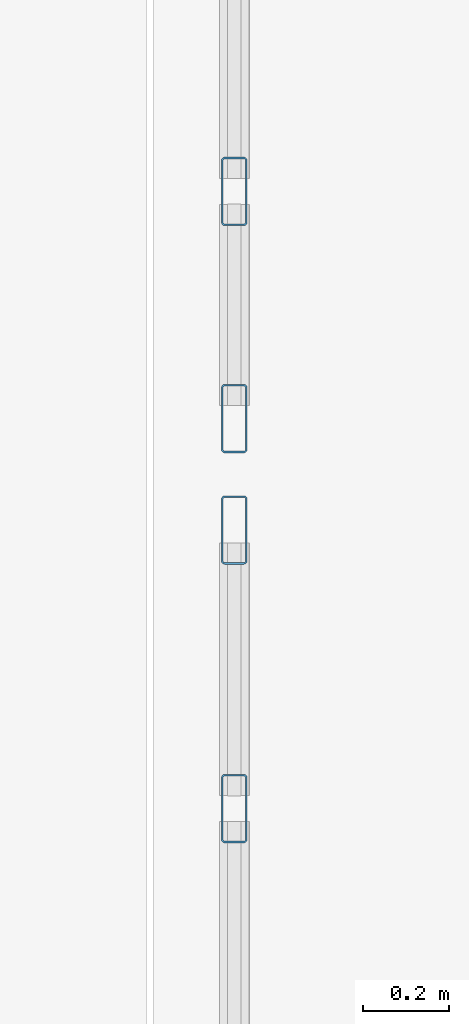
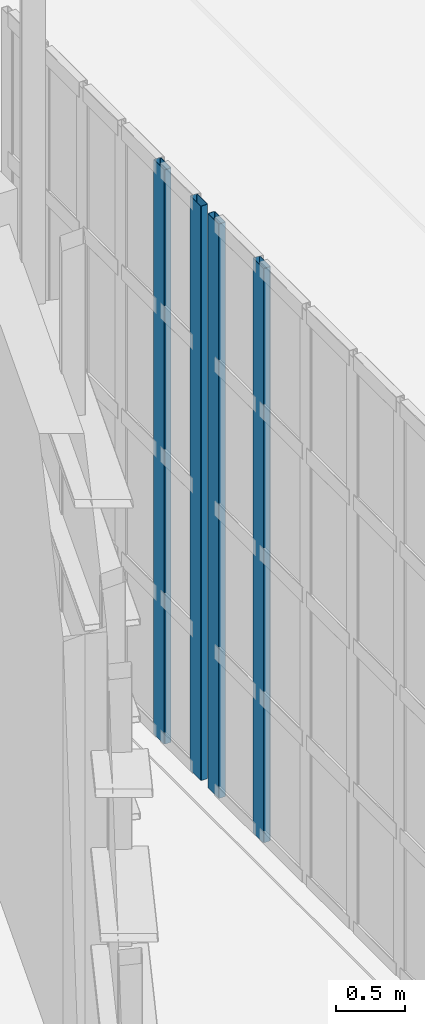
# One storey, part 274 of 372: 4 members, 2 elements without a shape of their own.
"""IFC4 building model written with IfcOpenShell, lengths in metres."""

from ifc_helpers import new_model, si_unit, direction, frame, origin, origin_2d, place, context, subcontext, project, spatial, hollow_rectangle, extrude, material, material_profile, profile_set, type_object, element, aggregate, save


model = new_model("IFC4")

# Units and contexts
model_context = context("Model", 3, precision=1e-05, world=origin(), true_north=direction((0.0, 1.0)))
body_context = subcontext(model_context, "Body", "Model", "MODEL_VIEW")
ifc_project = project(units=[si_unit("LENGTHUNIT", "METRE"), si_unit("AREAUNIT", "SQUARE_METRE"), si_unit("VOLUMEUNIT", "CUBIC_METRE"), si_unit("PLANEANGLEUNIT", "RADIAN"), si_unit("MASSUNIT", "GRAM", prefix="KILO")], contexts=[model_context])

# Site, building, storey
site_placement = place(None, origin())
site = spatial("IfcSite", under=ifc_project, at=site_placement, CompositionType="ELEMENT")
building_placement = place(site_placement, origin())
building = spatial("IfcBuilding", under=site, at=building_placement, Name="Kaelora Sail Theatre", CompositionType="ELEMENT")
storey_placement = place(building_placement, origin())
storey = spatial("IfcBuildingStorey", under=building, at=storey_placement, Name="L00", CompositionType="ELEMENT", Elevation=0.0)

# Curtain wall, members
ifc_material_1 = material(Name="Anodised aluminium and solar-control low-E IGU", Category="aluminium")
curtain_wall_type = type_object("IfcCurtainWallType", Name="ARC-CW-CW-FOY2", PredefinedType="NOTDEFINED", material=ifc_material_1)
curtain_wall_1_placement = place(storey_placement, origin())
curtain_wall_1 = element("IfcCurtainWall", 1, at=curtain_wall_1_placement, inside=storey, type_object=curtain_wall_type, Name="Glazed Colonnade/Courtyard Curtain Wall COLE-W-L00-01", PredefinedType="NOTDEFINED")
ifc_material_2 = material(Name="Anodised aluminium 6063-T6", Category="aluminium")
ifc_material_profile = material_profile(ifc_material_2, hollow_rectangle(XDim=0.06005859375, YDim=0.159912109375, WallThickness=0.00390625, InnerFilletRadius=0.00390625, OuterFilletRadius=0.008056640625, at=origin_2d()), Name="ALU-MULL 60x160x4")
ifc_profile_set = profile_set([ifc_material_profile], Name="Anodised aluminium 6063-T6")
member_type = type_object("IfcMemberType", Name="ARC-MEM-ML-160", PredefinedType="MULLION", material=ifc_profile_set)
member_1_placement = place(storey_placement, frame((147.489990234375, 34.52001953125, 0.0), z_axis=(0.0, 0.0, 1.0), x_axis=(-1.0, 0.0, 0.0)))
member_1 = element("IfcMember", 2, at=member_1_placement, type_object=member_type, Name="CW-FOY2 mullion 5", PredefinedType="MULLION", context=body_context, shape_type="SweptSolid", body=[
    extrude(hollow_rectangle(XDim=0.06005859375, YDim=0.159912109375, WallThickness=0.00390625, InnerFilletRadius=0.00390625, OuterFilletRadius=0.008056640625, at=origin_2d()), origin(), (0.0, 0.0, 1.0), 5.0849609375),
])
member_2_placement = place(storey_placement, frame((147.489990234375, 35.169921875, 0.0), z_axis=(0.0, 0.0, 1.0), x_axis=(-1.0, 0.0, 0.0)))
member_2 = element("IfcMember", 3, at=member_2_placement, type_object=member_type, Name="CW-FOY2 mullion 6", PredefinedType="MULLION", context=body_context, shape_type="SweptSolid", body=[
    extrude(hollow_rectangle(XDim=0.06005859375, YDim=0.159912109375, WallThickness=0.00390625, InnerFilletRadius=0.00390625, OuterFilletRadius=0.008056640625, at=origin_2d()), origin(), (0.0, 0.0, 1.0), 5.0849609375),
])
aggregate(curtain_wall_1, [member_1, member_2])

curtain_wall_2_placement = place(storey_placement, origin())
curtain_wall_2 = element("IfcCurtainWall", 4, at=curtain_wall_2_placement, inside=storey, type_object=curtain_wall_type, Name="Glazed Colonnade/Courtyard Curtain Wall COLE-W-L00-02", PredefinedType="NOTDEFINED")
member_3_placement = place(storey_placement, frame((147.489990234375, 35.429931640625, 0.0), z_axis=(0.0, 0.0, 1.0), x_axis=(-1.0, 0.0, 0.0)))
member_3 = element("IfcMember", 5, at=member_3_placement, type_object=member_type, Name="CW-FOY2 mullion 1", PredefinedType="MULLION", context=body_context, shape_type="SweptSolid", body=[
    extrude(hollow_rectangle(XDim=0.06005859375, YDim=0.159912109375, WallThickness=0.00390625, InnerFilletRadius=0.00390625, OuterFilletRadius=0.008056640625, at=origin_2d()), origin(), (0.0, 0.0, 1.0), 5.0849609375),
])
member_4_placement = place(storey_placement, frame((147.489990234375, 35.9599609375, 0.0), z_axis=(0.0, 0.0, 1.0), x_axis=(-1.0, 0.0, 0.0)))
member_4 = element("IfcMember", 6, at=member_4_placement, type_object=member_type, Name="CW-FOY2 mullion 2", PredefinedType="MULLION", context=body_context, shape_type="SweptSolid", body=[
    extrude(hollow_rectangle(XDim=0.06005859375, YDim=0.159912109375, WallThickness=0.00390625, InnerFilletRadius=0.00390625, OuterFilletRadius=0.008056640625, at=origin_2d()), origin(), (0.0, 0.0, 1.0), 5.0849609375),
])
aggregate(curtain_wall_2, [member_3, member_4])

save(model, "model.ifc")
